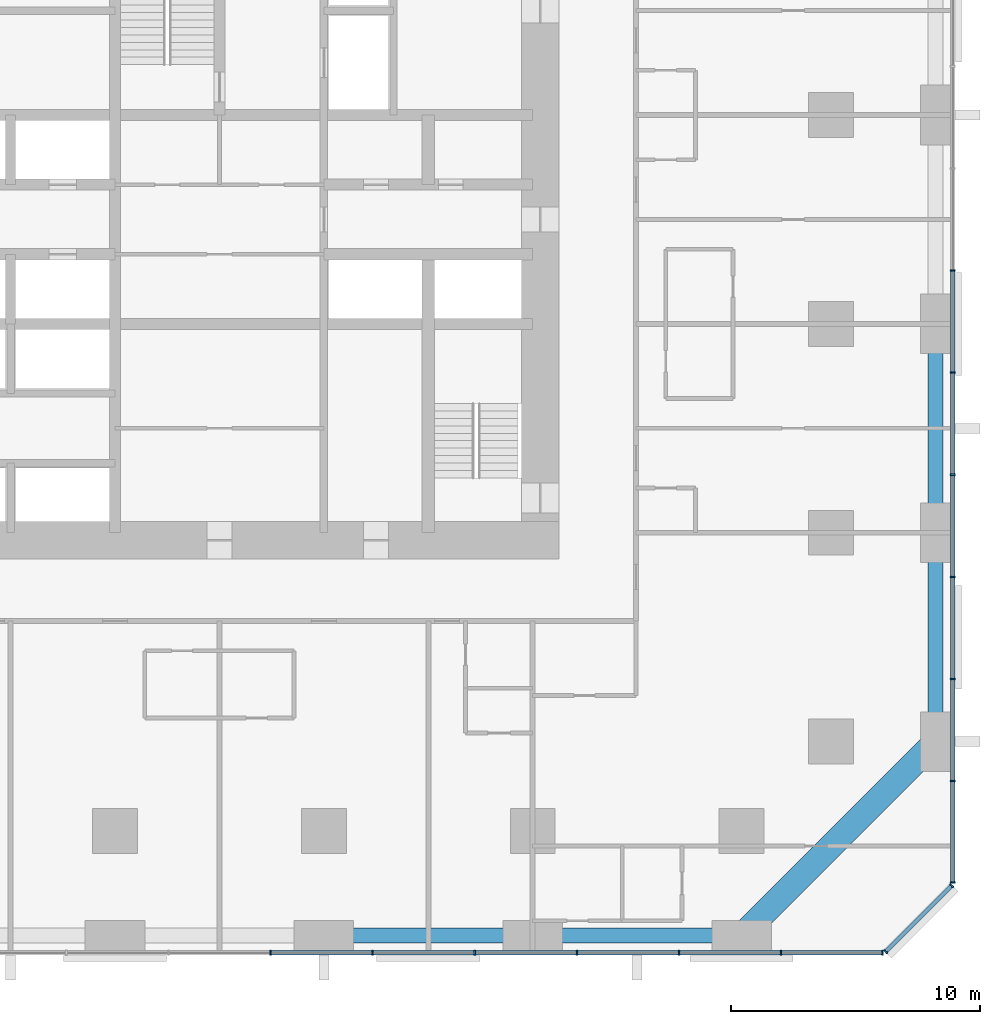
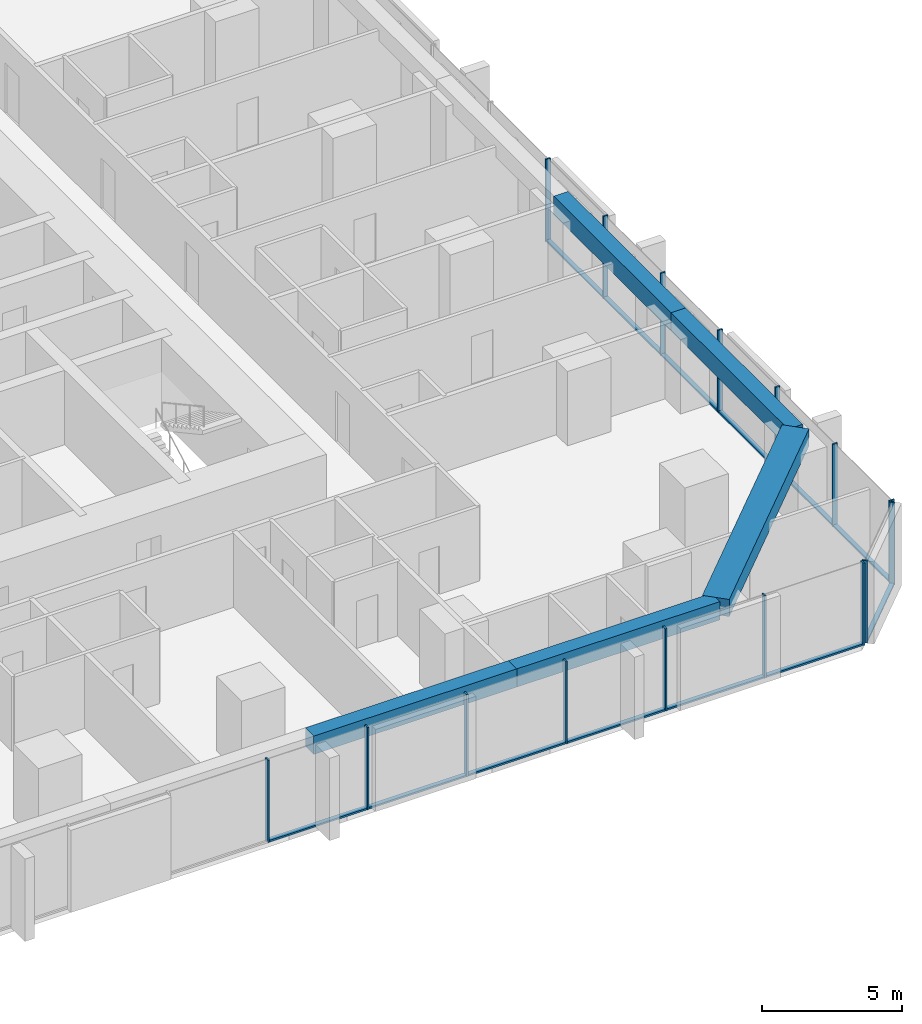
# One storey, part 4 of 17: 29 members, 5 beams, 3 elements without a shape of their own.
"""IFC4 building model written with IfcOpenShell, lengths in metres."""

from ifc_helpers import new_model, si_unit, direction, frame, origin, origin_2d, place, context, subcontext, project, spatial, rectangle, extrude, material, material_profile, profile_set, type_object, element, aggregate, save


model = new_model("IFC4")

# Units and contexts
model_context = context("Model", 3, precision=1e-05, world=origin(), true_north=direction((0.0, 1.0)))
body_context = subcontext(model_context, "Body", "Model", "MODEL_VIEW")
ifc_project = project(units=[si_unit("LENGTHUNIT", "METRE"), si_unit("AREAUNIT", "SQUARE_METRE"), si_unit("VOLUMEUNIT", "CUBIC_METRE"), si_unit("PLANEANGLEUNIT", "RADIAN"), si_unit("MASSUNIT", "GRAM", prefix="KILO")], contexts=[model_context])

# Site, building, storey
site_placement = place(None, origin())
site = spatial("IfcSite", under=ifc_project, at=site_placement, CompositionType="ELEMENT")
building_placement = place(site_placement, origin())
building = spatial("IfcBuilding", under=site, at=building_placement, Name="Dunama Terrace Hotel", CompositionType="ELEMENT")
storey_placement = place(building_placement, frame((0.0, 0.0, 63.0)))
storey = spatial("IfcBuildingStorey", under=building, at=storey_placement, Name="L15", CompositionType="ELEMENT", Elevation=63.0)

# Curtain wall, members
ifc_material_1 = material(Name="Aluminium curtain wall system", Category="aluminium")
curtain_wall_type = type_object("IfcCurtainWallType", Name="Unitised fritted glass wall CW-A", PredefinedType="NOTDEFINED", material=ifc_material_1)
curtain_wall_1_placement = place(storey_placement, origin())
curtain_wall_1 = element("IfcCurtainWall", 1, at=curtain_wall_1_placement, inside=storey, type_object=curtain_wall_type, Name="Unitised fritted glass wall CW-A L15", PredefinedType="NOTDEFINED")
ifc_material_2 = material(Name="Aluminium mullion", Category="aluminium")
ifc_material_profile_1 = material_profile(ifc_material_2, rectangle(XDim=0.06494140625, YDim=0.199951171875, at=origin_2d()), Name="CWA MULLION 65X200")
ifc_profile_set_1 = profile_set([ifc_material_profile_1], Name="Aluminium mullion")
member_type_1 = type_object("IfcMemberType", Name="CWA mullion 65x200", PredefinedType="MULLION", material=ifc_profile_set_1)
member_1_placement = place(storey_placement, frame((31.4541015625, -0.10009765625, 0.0), z_axis=(0.0, 0.0, 1.0), x_axis=(1.0, 0.0, 0.0)))
member_1 = element("IfcMember", 2, at=member_1_placement, type_object=member_type_1, Name="CWA mullion", PredefinedType="MULLION", context=body_context, shape_type="SweptSolid", body=[
    extrude(rectangle(XDim=0.06494140625, YDim=0.199951171875, at=origin_2d()), origin(), (0.0, 0.0, 1.0), 3.60009765625),
])
member_2_placement = place(storey_placement, frame((35.56201171875, -0.10009765625, 0.0), z_axis=(0.0, 0.0, 1.0), x_axis=(1.0, 0.0, 0.0)))
member_2 = element("IfcMember", 3, at=member_2_placement, type_object=member_type_1, Name="CWA mullion", PredefinedType="MULLION", context=body_context, shape_type="SweptSolid", body=[
    extrude(rectangle(XDim=0.06494140625, YDim=0.199951171875, at=origin_2d()), origin(), (0.0, 0.0, 1.0), 3.60009765625),
])
member_3_placement = place(storey_placement, frame((39.6689453125, -0.10009765625, 0.0), z_axis=(0.0, 0.0, 1.0), x_axis=(1.0, 0.0, 0.0)))
member_3 = element("IfcMember", 4, at=member_3_placement, type_object=member_type_1, Name="CWA mullion", PredefinedType="MULLION", context=body_context, shape_type="SweptSolid", body=[
    extrude(rectangle(XDim=0.06494140625, YDim=0.199951171875, at=origin_2d()), origin(), (0.0, 0.0, 1.0), 3.60009765625),
])
member_4_placement = place(storey_placement, frame((43.777099609375, -0.10009765625, 0.0), z_axis=(0.0, 0.0, 1.0), x_axis=(1.0, 0.0, 0.0)))
member_4 = element("IfcMember", 5, at=member_4_placement, type_object=member_type_1, Name="CWA mullion", PredefinedType="MULLION", context=body_context, shape_type="SweptSolid", body=[
    extrude(rectangle(XDim=0.06494140625, YDim=0.199951171875, at=origin_2d()), origin(), (0.0, 0.0, 1.0), 3.60009765625),
])
member_5_placement = place(storey_placement, frame((47.885009765625, -0.10009765625, 0.0), z_axis=(0.0, 0.0, 1.0), x_axis=(1.0, 0.0, 0.0)))
member_5 = element("IfcMember", 6, at=member_5_placement, type_object=member_type_1, Name="CWA mullion", PredefinedType="MULLION", context=body_context, shape_type="SweptSolid", body=[
    extrude(rectangle(XDim=0.06494140625, YDim=0.199951171875, at=origin_2d()), origin(), (0.0, 0.0, 1.0), 3.60009765625),
])
member_6_placement = place(storey_placement, frame((51.991943359375, -0.10009765625, 0.0), z_axis=(0.0, 0.0, 1.0), x_axis=(1.0, 0.0, 0.0)))
member_6 = element("IfcMember", 7, at=member_6_placement, type_object=member_type_1, Name="CWA mullion", PredefinedType="MULLION", context=body_context, shape_type="SweptSolid", body=[
    extrude(rectangle(XDim=0.06494140625, YDim=0.199951171875, at=origin_2d()), origin(), (0.0, 0.0, 1.0), 3.60009765625),
])
member_7_placement = place(storey_placement, frame((56.06689453125, -0.10009765625, 0.0), z_axis=(0.0, 0.0, 1.0), x_axis=(1.0, 0.0, 0.0)))
member_7 = element("IfcMember", 8, at=member_7_placement, type_object=member_type_1, Name="CWA mullion", PredefinedType="MULLION", context=body_context, shape_type="SweptSolid", body=[
    extrude(rectangle(XDim=0.06494140625, YDim=0.199951171875, at=origin_2d()), origin(), (0.0, 0.0, 1.0), 3.60009765625),
])

curtain_wall_2_placement = place(storey_placement, origin())
curtain_wall_2 = element("IfcCurtainWall", 9, at=curtain_wall_2_placement, inside=storey, type_object=curtain_wall_type, Name="Unitised fritted glass wall CW-A L15", PredefinedType="NOTDEFINED")
member_8_placement = place(storey_placement, frame((56.194091796875, -0.048095703125, 0.0), z_axis=(0.0, 0.0, 1.0), x_axis=(0.707106781187, 0.707106781187, 0.0)))
member_8 = element("IfcMember", 10, at=member_8_placement, type_object=member_type_1, Name="CWA mullion", PredefinedType="MULLION", context=body_context, shape_type="SweptSolid", body=[
    extrude(rectangle(XDim=0.06494140625, YDim=0.199951171875, at=origin_2d()), origin(), (0.0, 0.0, 1.0), 3.60009765625),
])
member_9_placement = place(storey_placement, frame((58.847900390625, 2.60595703125, 0.0), z_axis=(0.0, 0.0, 1.0), x_axis=(0.707106781187, 0.707106781187, 0.0)))
member_9 = element("IfcMember", 11, at=member_9_placement, type_object=member_type_1, Name="CWA mullion", PredefinedType="MULLION", context=body_context, shape_type="SweptSolid", body=[
    extrude(rectangle(XDim=0.06494140625, YDim=0.199951171875, at=origin_2d()), origin(), (0.0, 0.0, 1.0), 3.60009765625),
])

curtain_wall_3_placement = place(storey_placement, origin())
curtain_wall_3 = element("IfcCurtainWall", 12, at=curtain_wall_3_placement, inside=storey, type_object=curtain_wall_type, Name="Unitised fritted glass wall CW-A L15", PredefinedType="NOTDEFINED")
member_10_placement = place(storey_placement, frame((58.89990234375, 2.73291015625, 0.0), z_axis=(0.0, 0.0, 1.0), x_axis=(0.0, 1.0, 0.0)))
member_10 = element("IfcMember", 13, at=member_10_placement, type_object=member_type_1, Name="CWA mullion", PredefinedType="MULLION", context=body_context, shape_type="SweptSolid", body=[
    extrude(rectangle(XDim=0.06494140625, YDim=0.199951171875, at=origin_2d()), origin(), (0.0, 0.0, 1.0), 3.60009765625),
])
member_11_placement = place(storey_placement, frame((58.89990234375, 6.80810546875, 0.0), z_axis=(0.0, 0.0, 1.0), x_axis=(0.0, 1.0, 0.0)))
member_11 = element("IfcMember", 14, at=member_11_placement, type_object=member_type_1, Name="CWA mullion", PredefinedType="MULLION", context=body_context, shape_type="SweptSolid", body=[
    extrude(rectangle(XDim=0.06494140625, YDim=0.199951171875, at=origin_2d()), origin(), (0.0, 0.0, 1.0), 3.60009765625),
])
member_12_placement = place(storey_placement, frame((58.89990234375, 10.9150390625, 0.0), z_axis=(0.0, 0.0, 1.0), x_axis=(0.0, 1.0, 0.0)))
member_12 = element("IfcMember", 15, at=member_12_placement, type_object=member_type_1, Name="CWA mullion", PredefinedType="MULLION", context=body_context, shape_type="SweptSolid", body=[
    extrude(rectangle(XDim=0.06494140625, YDim=0.199951171875, at=origin_2d()), origin(), (0.0, 0.0, 1.0), 3.60009765625),
])
member_13_placement = place(storey_placement, frame((58.89990234375, 15.02294921875, 0.0), z_axis=(0.0, 0.0, 1.0), x_axis=(0.0, 1.0, 0.0)))
member_13 = element("IfcMember", 16, at=member_13_placement, type_object=member_type_1, Name="CWA mullion", PredefinedType="MULLION", context=body_context, shape_type="SweptSolid", body=[
    extrude(rectangle(XDim=0.06494140625, YDim=0.199951171875, at=origin_2d()), origin(), (0.0, 0.0, 1.0), 3.60009765625),
])
member_14_placement = place(storey_placement, frame((58.89990234375, 19.131103515625, 0.0), z_axis=(0.0, 0.0, 1.0), x_axis=(0.0, 1.0, 0.0)))
member_14 = element("IfcMember", 17, at=member_14_placement, type_object=member_type_1, Name="CWA mullion", PredefinedType="MULLION", context=body_context, shape_type="SweptSolid", body=[
    extrude(rectangle(XDim=0.06494140625, YDim=0.199951171875, at=origin_2d()), origin(), (0.0, 0.0, 1.0), 3.60009765625),
])
member_15_placement = place(storey_placement, frame((58.89990234375, 23.238037109375, 0.0), z_axis=(0.0, 0.0, 1.0), x_axis=(0.0, 1.0, 0.0)))
member_15 = element("IfcMember", 18, at=member_15_placement, type_object=member_type_1, Name="CWA mullion", PredefinedType="MULLION", context=body_context, shape_type="SweptSolid", body=[
    extrude(rectangle(XDim=0.06494140625, YDim=0.199951171875, at=origin_2d()), origin(), (0.0, 0.0, 1.0), 3.60009765625),
])
member_16_placement = place(storey_placement, frame((58.89990234375, 27.345947265625, 0.0), z_axis=(0.0, 0.0, 1.0), x_axis=(0.0, 1.0, 0.0)))
member_16 = element("IfcMember", 19, at=member_16_placement, type_object=member_type_1, Name="CWA mullion", PredefinedType="MULLION", context=body_context, shape_type="SweptSolid", body=[
    extrude(rectangle(XDim=0.06494140625, YDim=0.199951171875, at=origin_2d()), origin(), (0.0, 0.0, 1.0), 3.60009765625),
])

# Member
ifc_material_3 = material(Name="Aluminium transom", Category="aluminium")
ifc_material_profile_2 = material_profile(ifc_material_3, rectangle(XDim=0.179931640625, YDim=0.074951171875, at=origin_2d()), Name="CWA TRANSOM 180X75")
ifc_profile_set_2 = profile_set([ifc_material_profile_2], Name="Aluminium transom")
member_type_2 = type_object("IfcMemberType", Name="CWA transom 180x75", PredefinedType="USERDEFINED", material=ifc_profile_set_2)
member_17_placement = place(storey_placement, frame((31.486083984375, -0.10009765625, 0.03759765625), z_axis=(1.0, 0.0, 0.0), x_axis=(0.0, 1.0, 0.0)))
member_17 = element("IfcMember", 20, at=member_17_placement, type_object=member_type_2, Name="CWA transom", ObjectType="TRANSOM", PredefinedType="USERDEFINED", context=body_context, shape_type="SweptSolid", body=[
    extrude(rectangle(XDim=0.179931640625, YDim=0.074951171875, at=origin_2d()), origin(), (0.0, 0.0, 1.0), 4.04296875),
])

member_18_placement = place(storey_placement, frame((35.593994140625, -0.10009765625, 0.03759765625), z_axis=(1.0, 0.0, 0.0), x_axis=(0.0, 1.0, 0.0)))
member_18 = element("IfcMember", 21, at=member_18_placement, type_object=member_type_2, Name="CWA transom", ObjectType="TRANSOM", PredefinedType="USERDEFINED", context=body_context, shape_type="SweptSolid", body=[
    extrude(rectangle(XDim=0.179931640625, YDim=0.074951171875, at=origin_2d()), origin(), (0.0, 0.0, 1.0), 4.04296875),
])

member_19_placement = place(storey_placement, frame((39.701904296875, -0.10009765625, 0.03759765625), z_axis=(1.0, 0.0, 0.0), x_axis=(0.0, 1.0, 0.0)))
member_19 = element("IfcMember", 22, at=member_19_placement, type_object=member_type_2, Name="CWA transom", ObjectType="TRANSOM", PredefinedType="USERDEFINED", context=body_context, shape_type="SweptSolid", body=[
    extrude(rectangle(XDim=0.179931640625, YDim=0.074951171875, at=origin_2d()), origin(), (0.0, 0.0, 1.0), 4.0419921875),
])

member_20_placement = place(storey_placement, frame((43.80908203125, -0.10009765625, 0.03759765625), z_axis=(1.0, 0.0, 0.0), x_axis=(0.0, 1.0, 0.0)))
member_20 = element("IfcMember", 23, at=member_20_placement, type_object=member_type_2, Name="CWA transom", ObjectType="TRANSOM", PredefinedType="USERDEFINED", context=body_context, shape_type="SweptSolid", body=[
    extrude(rectangle(XDim=0.179931640625, YDim=0.074951171875, at=origin_2d()), origin(), (0.0, 0.0, 1.0), 4.04296875),
])

member_21_placement = place(storey_placement, frame((47.9169921875, -0.10009765625, 0.03759765625), z_axis=(1.0, 0.0, 0.0), x_axis=(0.0, 1.0, 0.0)))
member_21 = element("IfcMember", 24, at=member_21_placement, type_object=member_type_2, Name="CWA transom", ObjectType="TRANSOM", PredefinedType="USERDEFINED", context=body_context, shape_type="SweptSolid", body=[
    extrude(rectangle(XDim=0.179931640625, YDim=0.074951171875, at=origin_2d()), origin(), (0.0, 0.0, 1.0), 4.04296875),
])

member_22_placement = place(storey_placement, frame((52.02490234375, -0.10009765625, 0.03759765625), z_axis=(1.0, 0.0, 0.0), x_axis=(0.0, 1.0, 0.0)))
member_22 = element("IfcMember", 25, at=member_22_placement, type_object=member_type_2, Name="CWA transom", ObjectType="TRANSOM", PredefinedType="USERDEFINED", context=body_context, shape_type="SweptSolid", body=[
    extrude(rectangle(XDim=0.179931640625, YDim=0.074951171875, at=origin_2d()), origin(), (0.0, 0.0, 1.0), 4.010009765625),
])

aggregate(curtain_wall_1, [member_1, member_2, member_3, member_4, member_5, member_6, member_7, member_17, member_18, member_19, member_20, member_21, member_22])

member_23_placement = place(storey_placement, frame((56.217041015625, -0.02490234375, 0.03759765625), z_axis=(0.707106781187, 0.707106781187, 0.0), x_axis=(-0.707106781187, 0.707106781187, 0.0)))
member_23 = element("IfcMember", 26, at=member_23_placement, type_object=member_type_2, Name="CWA transom", ObjectType="TRANSOM", PredefinedType="USERDEFINED", context=body_context, shape_type="SweptSolid", body=[
    extrude(rectangle(XDim=0.179931640625, YDim=0.074951171875, at=origin_2d()), origin(), (0.0, 0.0, 1.0), 3.688232421875),
])

aggregate(curtain_wall_2, [member_8, member_9, member_23])

member_24_placement = place(storey_placement, frame((58.89990234375, 2.764892578125, 0.03759765625), z_axis=(0.0, 1.0, 0.0), x_axis=(-1.0, 0.0, 0.0)))
member_24 = element("IfcMember", 27, at=member_24_placement, type_object=member_type_2, Name="CWA transom", ObjectType="TRANSOM", PredefinedType="USERDEFINED", context=body_context, shape_type="SweptSolid", body=[
    extrude(rectangle(XDim=0.179931640625, YDim=0.074951171875, at=origin_2d()), origin(), (0.0, 0.0, 1.0), 4.010009765625),
])

member_25_placement = place(storey_placement, frame((58.89990234375, 6.840087890625, 0.03759765625), z_axis=(0.0, 1.0, 0.0), x_axis=(-1.0, 0.0, 0.0)))
member_25 = element("IfcMember", 28, at=member_25_placement, type_object=member_type_2, Name="CWA transom", ObjectType="TRANSOM", PredefinedType="USERDEFINED", context=body_context, shape_type="SweptSolid", body=[
    extrude(rectangle(XDim=0.179931640625, YDim=0.074951171875, at=origin_2d()), origin(), (0.0, 0.0, 1.0), 4.04296875),
])

member_26_placement = place(storey_placement, frame((58.89990234375, 10.947998046875, 0.03759765625), z_axis=(0.0, 1.0, 0.0), x_axis=(-1.0, 0.0, 0.0)))
member_26 = element("IfcMember", 29, at=member_26_placement, type_object=member_type_2, Name="CWA transom", ObjectType="TRANSOM", PredefinedType="USERDEFINED", context=body_context, shape_type="SweptSolid", body=[
    extrude(rectangle(XDim=0.179931640625, YDim=0.074951171875, at=origin_2d()), origin(), (0.0, 0.0, 1.0), 4.04296875),
])

member_27_placement = place(storey_placement, frame((58.89990234375, 15.055908203125, 0.03759765625), z_axis=(0.0, 1.0, 0.0), x_axis=(-1.0, 0.0, 0.0)))
member_27 = element("IfcMember", 30, at=member_27_placement, type_object=member_type_2, Name="CWA transom", ObjectType="TRANSOM", PredefinedType="USERDEFINED", context=body_context, shape_type="SweptSolid", body=[
    extrude(rectangle(XDim=0.179931640625, YDim=0.074951171875, at=origin_2d()), origin(), (0.0, 0.0, 1.0), 4.0419921875),
])

member_28_placement = place(storey_placement, frame((58.89990234375, 19.1630859375, 0.03759765625), z_axis=(0.0, 1.0, 0.0), x_axis=(-1.0, 0.0, 0.0)))
member_28 = element("IfcMember", 31, at=member_28_placement, type_object=member_type_2, Name="CWA transom", ObjectType="TRANSOM", PredefinedType="USERDEFINED", context=body_context, shape_type="SweptSolid", body=[
    extrude(rectangle(XDim=0.179931640625, YDim=0.074951171875, at=origin_2d()), origin(), (0.0, 0.0, 1.0), 4.04296875),
])

member_29_placement = place(storey_placement, frame((58.89990234375, 23.27099609375, 0.03759765625), z_axis=(0.0, 1.0, 0.0), x_axis=(-1.0, 0.0, 0.0)))
member_29 = element("IfcMember", 32, at=member_29_placement, type_object=member_type_2, Name="CWA transom", ObjectType="TRANSOM", PredefinedType="USERDEFINED", context=body_context, shape_type="SweptSolid", body=[
    extrude(rectangle(XDim=0.179931640625, YDim=0.074951171875, at=origin_2d()), origin(), (0.0, 0.0, 1.0), 4.04296875),
])

aggregate(curtain_wall_3, [member_10, member_11, member_12, member_13, member_14, member_15, member_16, member_24, member_25, member_26, member_27, member_28, member_29])

# Beams
ifc_material_4 = material(Name="Concrete C50/60", Category="concrete")
ifc_material_profile_3 = material_profile(ifc_material_4, rectangle(XDim=1.0, YDim=0.75, at=origin_2d()), Name="RC 1000x750")
ifc_profile_set_3 = profile_set([ifc_material_profile_3], Name="Concrete C50/60")
beam_type_1 = type_object("IfcBeamType", Name="Edge beam RC 1000x750", PredefinedType="SPANDREL", material=ifc_profile_set_3)
beam_1_placement = place(storey_placement, frame((50.39990234375, 0.60009765625, 3.22509765625), z_axis=(0.707117847453, 0.707095714747, 0.0), x_axis=(-0.707095714747, 0.707117847453, 0.0)))
element("IfcBeam", 33, at=beam_1_placement, inside=storey, type_object=beam_type_1, Name="Corner edge beam under L16", PredefinedType="SPANDREL", context=body_context, shape_type="SweptSolid", body=[
    extrude(rectangle(XDim=1.0, YDim=0.75, at=origin_2d()), origin(), (0.0, 0.0, 1.0), 11.03076171875),
])
ifc_material_5 = material(Name="Concrete C40/50", Category="concrete")
ifc_material_profile_4 = material_profile(ifc_material_5, rectangle(XDim=0.60009765625, YDim=0.800048828125, at=origin_2d()), Name="RC 600x800")
ifc_profile_set_4 = profile_set([ifc_material_profile_4], Name="Concrete C40/50")
beam_type_2 = type_object("IfcBeamType", Name="Edge beam RC 600x800", PredefinedType="SPANDREL", material=ifc_profile_set_4)
beam_2_placement = place(storey_placement, frame((58.199951171875, 8.39990234375, 3.199951171875), z_axis=(0.0, 1.0, 0.0), x_axis=(-1.0, 0.0, 0.0)))
element("IfcBeam", 34, at=beam_2_placement, inside=storey, type_object=beam_type_2, Name="Edge beam under L16", PredefinedType="SPANDREL", context=body_context, shape_type="SweptSolid", body=[
    extrude(rectangle(XDim=0.60009765625, YDim=0.800048828125, at=origin_2d()), origin(), (0.0, 0.0, 1.0), 8.400146484375),
])
for number, where, z_axis, x_axis, name in (
    (35, (58.199951171875, 16.800048828125, 3.199951171875), (0.0, 1.0, 0.0), (-1.0, 0.0, 0.0), "Edge beam under L16"),
    (36, (33.60009765625, 0.60009765625, 3.199951171875), (1.0, 0.0, 0.0), (0.0, 1.0, 0.0), "Edge beam under L16"),
    (37, (42.0, 0.60009765625, 3.199951171875), (1.0, 0.0, 0.0), (0.0, 1.0, 0.0), "Edge beam under L16"),
):
    element("IfcBeam", number, at=place(storey_placement, frame(where, z_axis=z_axis, x_axis=x_axis)), inside=storey, type_object=beam_type_2, Name=name, PredefinedType="SPANDREL", context=body_context, shape_type="SweptSolid", body=[
        extrude(rectangle(XDim=0.60009765625, YDim=0.800048828125, at=origin_2d()), origin(), (0.0, 0.0, 1.0), 8.39990234375),
    ])

save(model, "model.ifc")
